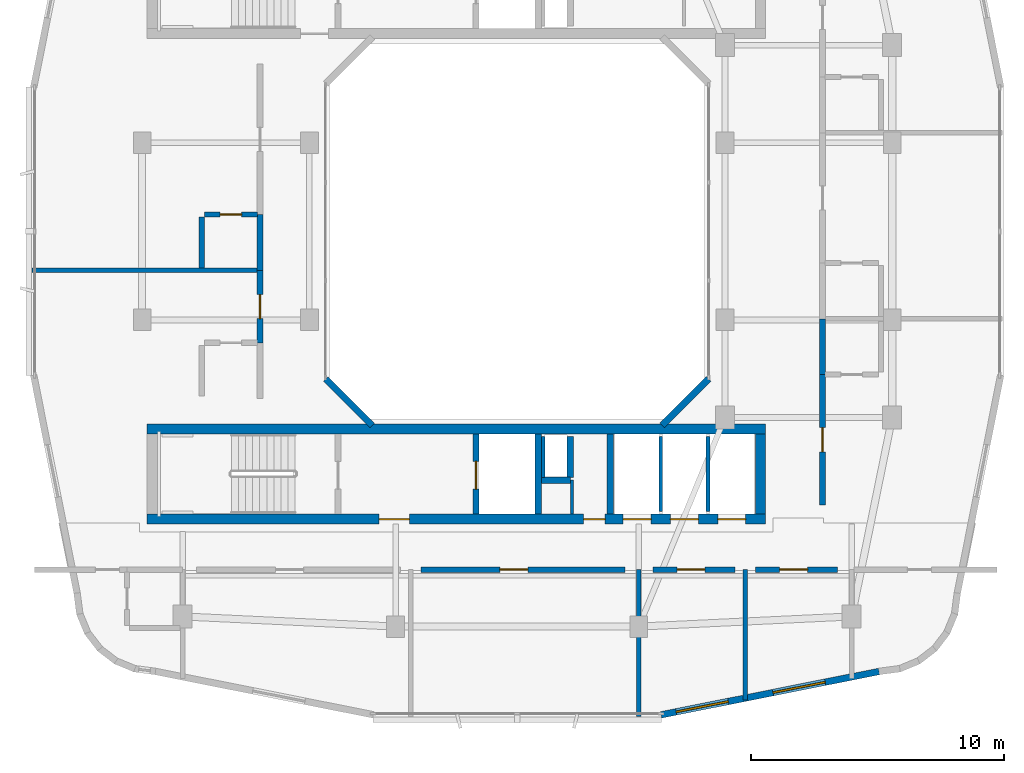
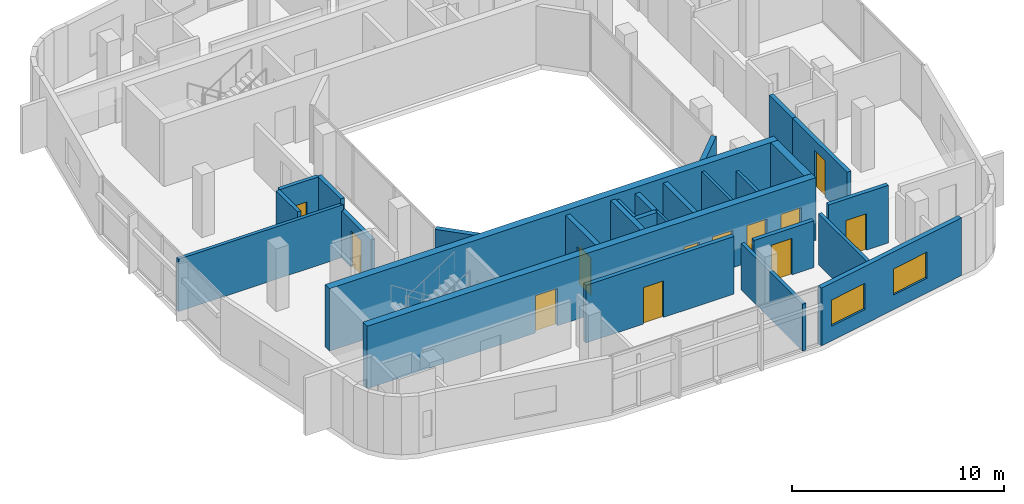
# One storey, part 7 of 14: 27 walls, 12 doors, 2 windows, 14 openings.
"""IFC4 building model written with IfcOpenShell, lengths in metres."""

from ifc_helpers import new_model, si_unit, derived_unit, direction, frame, frame_2d, origin, place, context, subcontext, project, spatial, rectangle, extrude, material, layer, layer_set, type_object, element, fill, save


model = new_model("IFC4")

# Units and contexts
model_context = context("Model", 3, precision=1e-05, world=origin(), true_north=direction((0.0, 1.0)))
body_context = subcontext(model_context, "Body", "Model", "MODEL_VIEW")
ifc_project = project(units=[si_unit("LENGTHUNIT", "METRE"), si_unit("AREAUNIT", "SQUARE_METRE"), si_unit("VOLUMEUNIT", "CUBIC_METRE"), si_unit("PLANEANGLEUNIT", "RADIAN"), si_unit("MASSUNIT", "GRAM", prefix="KILO"), derived_unit("THERMALTRANSMITTANCEUNIT", [(si_unit("POWERUNIT", "WATT"), 1), (si_unit("LENGTHUNIT", "METRE"), -2), (si_unit("THERMODYNAMICTEMPERATUREUNIT", "KELVIN"), -1)])], contexts=[model_context])

# Site, building, storey
site_placement = place(None, origin())
site = spatial("IfcSite", under=ifc_project, at=site_placement, CompositionType="ELEMENT")
building_placement = place(site_placement, origin())
building = spatial("IfcBuilding", under=site, at=building_placement, Name="Kivonza Crest Hotel", CompositionType="ELEMENT")
storey_placement = place(building_placement, frame((0.0, 0.0, 209.89990234375)))
storey = spatial("IfcBuildingStorey", under=building, at=storey_placement, Name="L57", CompositionType="ELEMENT", Elevation=209.89990234375)

# Walls
ifc_material_1 = material(Name="High-density acoustic masonry inter-tenancy wall", Category="masonry")
ifc_layer_1 = layer(ifc_material_1, 0.179931640625)
ifc_layer_set_1 = layer_set([ifc_layer_1], Name="High-density acoustic masonry inter-tenancy wall")
wall_type_1 = type_object("IfcWallType", Name="WL-ACOU-180", PredefinedType="SOLIDWALL", material=ifc_layer_set_1)
wall_1_placement = place(storey_placement, frame((25.800048828125, 5.860107421875, 0.0), z_axis=(0.0, 0.0, 1.0), x_axis=(0.0, 1.0, 0.0)))
element("IfcWall", 1, at=wall_1_placement, inside=storey, type_object=wall_type_1, Name="L57 interior partition WA-L57-T1S-DIV2", PredefinedType="SOLIDWALL", context=body_context, shape_type="SweptSolid", body=[
    extrude(rectangle(XDim=5.789794921875, YDim=0.179931640625, at=frame_2d((2.89501953125, 0.0))), origin(), (0.0, 0.0, 1.0), 2.695068359375),
])
wall_2_placement = place(storey_placement, frame((30.0, 6.506103515625, 0.0), z_axis=(0.0, 0.0, 1.0), x_axis=(0.0, 1.0, 0.0)))
element("IfcWall", 2, at=wall_2_placement, inside=storey, type_object=wall_type_1, Name="L57 interior partition WA-L57-T1S-SPDIV2", PredefinedType="SOLIDWALL", context=body_context, shape_type="SweptSolid", body=[
    extrude(rectangle(XDim=5.143798828125, YDim=0.179931640625, at=frame_2d((2.57177734375, 0.0))), origin(), (0.0, 0.0, 1.0), 2.93505859375),
])
wall_3_placement = place(storey_placement, frame((1.860107421875, 23.4599609375, 0.0), z_axis=(0.0, 0.0, 1.0), x_axis=(1.0, 0.0, 0.0)))
element("IfcWall", 3, at=wall_3_placement, inside=storey, type_object=wall_type_1, Name="L57 interior partition WA-L57-T1W-DIV1", PredefinedType="SOLIDWALL", context=body_context, shape_type="SweptSolid", body=[
    extrude(rectangle(XDim=8.989990234375, YDim=0.179931640625, at=frame_2d((4.4951171875, 0.0))), origin(), (0.0, 0.0, 1.0), 3.01513671875),
])

# Wall, opening, door
ifc_material_2 = material(Name="Autoclaved aerated concrete blockwork", Category="masonry")
ifc_layer_2 = layer(ifc_material_2, 0.219970703125)
ifc_layer_set_2 = layer_set([ifc_layer_2], Name="Autoclaved aerated concrete blockwork")
wall_type_2 = type_object("IfcWallType", Name="WL-ACOU-220", PredefinedType="SOLIDWALL", material=ifc_layer_set_2)
wall_4_placement = place(storey_placement, frame((17.199951171875, 11.64990234375, 0.0), z_axis=(0.0, 0.0, 1.0), x_axis=(1.0, 0.0, 0.0)))
wall_4 = element("IfcWall", 4, at=wall_4_placement, inside=storey, type_object=wall_type_2, Name="L57 interior partition WA-L57-Z4-SKIT1B-N", PredefinedType="SOLIDWALL", context=body_context, shape_type="SweptSolid", body=[
    extrude(rectangle(XDim=8.050048828125, YDim=0.219970703125, at=frame_2d((4.02490234375, 0.0))), origin(), (0.0, 0.0, 1.0), 3.320068359375),
])
opening_1_placement = place(wall_4_placement, frame((3.117919921875, 0.0, 0.0)))
opening_1 = element("IfcOpeningElement", 5, at=opening_1_placement, cuts=wall_4, Name="Opening DF-60M", PredefinedType="OPENING", context=body_context, shape_type="SweptSolid", body=[
    extrude(rectangle(XDim=1.10009765625, YDim=2.10009765625, at=frame_2d((0.550048828125, 1.050048828125))), frame((0.0, 0.1201171875, 0.0), z_axis=(0.0, -1.0, 0.0), x_axis=(1.0, 0.0, 0.0)), (0.0, 0.0, 1.0), 0.239990234375),
])
ifc_material_3 = material(Name="Hardwood timber oak", Category="wood")
door_type_1 = type_object("IfcDoorType", Name="DR-FD60-1100", OperationType="NOTDEFINED", PredefinedType="DOOR", material=ifc_material_3)
door_1_placement = place(opening_1_placement, frame((1.10009765625, 0.0, 0.0), z_axis=(0.0, 0.0, 1.0), x_axis=(-1.0, 0.0, 0.0)))
door_1 = element("IfcDoor", 6, at=door_1_placement, inside=storey, type_object=door_type_1, Name="L57 Upper Zone Beverage Tasting Kitchen door", OperationType="SINGLE_SWING_LEFT", OverallHeight=2.10009765625, OverallWidth=1.10009765625, PredefinedType="DOOR", context=body_context, shape_type="SweptSolid", body=[
    extrude(rectangle(XDim=1.10009765625, YDim=2.10009765625, at=frame_2d((0.550048828125, 1.050048828125))), frame((0.0, 0.02490234375, 0.0), z_axis=(0.0, -1.0, 0.0), x_axis=(1.0, 0.0, 0.0)), (0.0, 0.0, 1.0), 0.050048828125),
])
fill(opening_1, door_1)

wall_5_placement = place(storey_placement, frame((26.35009765625, 11.64990234375, 0.0), z_axis=(0.0, 0.0, 1.0), x_axis=(1.0, 0.0, 0.0)))
wall_5 = element("IfcWall", 7, at=wall_5_placement, inside=storey, type_object=wall_type_2, Name="L57 interior partition WA-L57-Z4-SKIT2A-N", PredefinedType="SOLIDWALL", context=body_context, shape_type="SweptSolid", body=[
    extrude(rectangle(XDim=3.25, YDim=0.219970703125, at=frame_2d((1.625, 0.0))), origin(), (0.0, 0.0, 1.0), 2.695068359375),
])
opening_2_placement = place(wall_5_placement, frame((0.95703125, 0.0, 0.0)))
opening_2 = element("IfcOpeningElement", 8, at=opening_2_placement, cuts=wall_5, Name="Opening DF-60M", PredefinedType="OPENING", context=body_context, shape_type="SweptSolid", body=[
    extrude(rectangle(XDim=1.10009765625, YDim=2.10009765625, at=frame_2d((0.550048828125, 1.050048828125))), frame((0.0, 0.1201171875, 0.0), z_axis=(0.0, -1.0, 0.0), x_axis=(1.0, 0.0, 0.0)), (0.0, 0.0, 1.0), 0.239990234375),
])
door_2_placement = place(opening_2_placement, frame((1.10009765625, 0.0, 0.0), z_axis=(0.0, 0.0, 1.0), x_axis=(-1.0, 0.0, 0.0)))
door_2 = element("IfcDoor", 9, at=door_2_placement, inside=storey, type_object=door_type_1, Name="L57 Upper Zone Chef Demonstration Kitchen door", OperationType="SINGLE_SWING_RIGHT", OverallHeight=2.10009765625, OverallWidth=1.10009765625, PredefinedType="DOOR", context=body_context, shape_type="SweptSolid", body=[
    extrude(rectangle(XDim=1.10009765625, YDim=2.10009765625, at=frame_2d((0.550048828125, 1.050048828125))), frame((0.0, 0.02490234375, 0.0), z_axis=(0.0, -1.0, 0.0), x_axis=(1.0, 0.0, 0.0)), (0.0, 0.0, 1.0), 0.050048828125),
])
fill(opening_2, door_2)

wall_6_placement = place(storey_placement, frame((30.39990234375, 11.64990234375, 0.0), z_axis=(0.0, 0.0, 1.0), x_axis=(1.0, 0.0, 0.0)))
wall_6 = element("IfcWall", 10, at=wall_6_placement, inside=storey, type_object=wall_type_2, Name="L57 interior partition WA-L57-Z4-SKIT2B-N", PredefinedType="SOLIDWALL", context=body_context, shape_type="SweptSolid", body=[
    extrude(rectangle(XDim=3.25, YDim=0.219970703125, at=frame_2d((1.625, 0.0))), origin(), (0.0, 0.0, 1.0), 3.320068359375),
])
opening_3_placement = place(wall_6_placement, frame((0.95703125, 0.0, 0.0)))
opening_3 = element("IfcOpeningElement", 11, at=opening_3_placement, cuts=wall_6, Name="Opening DF-60M", PredefinedType="OPENING", context=body_context, shape_type="SweptSolid", body=[
    extrude(rectangle(XDim=1.10009765625, YDim=2.10009765625, at=frame_2d((0.550048828125, 1.050048828125))), frame((0.0, 0.1201171875, 0.0), z_axis=(0.0, -1.0, 0.0), x_axis=(1.0, 0.0, 0.0)), (0.0, 0.0, 1.0), 0.239990234375),
])
door_3_placement = place(opening_3_placement, frame((1.10009765625, 0.0, 0.0), z_axis=(0.0, 0.0, 1.0), x_axis=(-1.0, 0.0, 0.0)))
door_3 = element("IfcDoor", 12, at=door_3_placement, inside=storey, type_object=door_type_1, Name="L57 Upper Zone Beverage Tasting Kitchen door", OperationType="SINGLE_SWING_LEFT", OverallHeight=2.10009765625, OverallWidth=1.10009765625, PredefinedType="DOOR", context=body_context, shape_type="SweptSolid", body=[
    extrude(rectangle(XDim=1.10009765625, YDim=2.10009765625, at=frame_2d((0.550048828125, 1.050048828125))), frame((0.0, 0.02490234375, 0.0), z_axis=(0.0, -1.0, 0.0), x_axis=(1.0, 0.0, 0.0)), (0.0, 0.0, 1.0), 0.050048828125),
])
fill(opening_3, door_3)

wall_7_placement = place(storey_placement, frame((10.85009765625, 20.60009765625, 0.0), z_axis=(0.0, 0.0, 1.0), x_axis=(0.0, 1.0, 0.0)))
wall_7 = element("IfcWall", 13, at=wall_7_placement, inside=storey, type_object=wall_type_2, Name="L57 interior partition WA-L57-W03-MCORR", PredefinedType="SOLIDWALL", context=body_context, shape_type="SweptSolid", body=[
    extrude(rectangle(XDim=2.85986328125, YDim=0.219970703125, at=frame_2d((1.429931640625, 0.0))), origin(), (0.0, 0.0, 1.0), 2.695068359375),
])
opening_4_placement = place(wall_7_placement, frame((0.955078125, 0.0, 0.0)))
opening_4 = element("IfcOpeningElement", 14, at=opening_4_placement, cuts=wall_7, Name="Opening DU-60", PredefinedType="OPENING", context=body_context, shape_type="SweptSolid", body=[
    extrude(rectangle(XDim=0.949951171875, YDim=2.10009765625, at=frame_2d((0.47509765625, 1.050048828125))), frame((0.0, 0.1201171875, 0.0), z_axis=(0.0, -1.0, 0.0), x_axis=(1.0, 0.0, 0.0)), (0.0, 0.0, 1.0), 0.239990234375),
])
door_type_2 = type_object("IfcDoorType", Name="DR-UNIT-950", OperationType="NOTDEFINED", PredefinedType="DOOR", material=ifc_material_3)
door_4_placement = place(opening_4_placement, origin())
door_4 = element("IfcDoor", 15, at=door_4_placement, inside=storey, type_object=door_type_2, Name="L57 W03 guest unit entrance fire door", OperationType="SINGLE_SWING_LEFT", OverallHeight=2.10009765625, OverallWidth=0.949951171875, PredefinedType="DOOR", context=body_context, shape_type="SweptSolid", body=[
    extrude(rectangle(XDim=0.949951171875, YDim=2.10009765625, at=frame_2d((0.47509765625, 1.050048828125))), frame((0.0, 0.02490234375, 0.0), z_axis=(0.0, -1.0, 0.0), x_axis=(1.0, 0.0, 0.0)), (0.0, 0.0, 1.0), 0.050048828125),
])
fill(opening_4, door_4)

# Walls
wall_8_placement = place(storey_placement, frame((10.85009765625, 23.4599609375, 0.0), z_axis=(0.0, 0.0, 1.0), x_axis=(0.0, 1.0, 0.0)))
element("IfcWall", 16, at=wall_8_placement, inside=storey, type_object=wall_type_2, Name="L57 interior partition WA-L57-W04-BCORR", PredefinedType="SOLIDWALL", context=body_context, shape_type="SweptSolid", body=[
    extrude(rectangle(XDim=2.199951171875, YDim=0.219970703125, at=frame_2d((1.10009765625, 0.0))), origin(), (0.0, 0.0, 1.0), 3.320068359375),
])
wall_9_placement = place(storey_placement, frame((33.050048828125, 19.343994140625, 0.0), z_axis=(0.0, 0.0, 1.0), x_axis=(0.0, 1.0, 0.0)))
element("IfcWall", 17, at=wall_9_placement, inside=storey, type_object=wall_type_2, Name="L57 interior partition WA-L57-E05-BCORR", PredefinedType="SOLIDWALL", context=body_context, shape_type="SweptSolid", body=[
    extrude(rectangle(XDim=2.199951171875, YDim=0.219970703125, at=frame_2d((1.10009765625, 0.0))), origin(), (0.0, 0.0, 1.0), 2.695068359375),
])

# Wall, opening, door
wall_10_placement = place(storey_placement, frame((33.050048828125, 14.199951171875, 0.0), z_axis=(0.0, 0.0, 1.0), x_axis=(0.0, 1.0, 0.0)))
wall_10 = element("IfcWall", 18, at=wall_10_placement, inside=storey, type_object=wall_type_2, Name="L57 interior partition WA-L57-E05-MCORR", PredefinedType="SOLIDWALL", context=body_context, shape_type="SweptSolid", body=[
    extrude(rectangle(XDim=5.14404296875, YDim=0.219970703125, at=frame_2d((2.572021484375, 0.0))), origin(), (0.0, 0.0, 1.0), 2.695068359375),
])
opening_5_placement = place(wall_10_placement, frame((2.096923828125, 0.0, 0.0)))
opening_5 = element("IfcOpeningElement", 19, at=opening_5_placement, cuts=wall_10, Name="Opening DU-60", PredefinedType="OPENING", context=body_context, shape_type="SweptSolid", body=[
    extrude(rectangle(XDim=0.949951171875, YDim=2.10009765625, at=frame_2d((0.47509765625, 1.050048828125))), frame((0.0, 0.1201171875, 0.0), z_axis=(0.0, -1.0, 0.0), x_axis=(1.0, 0.0, 0.0)), (0.0, 0.0, 1.0), 0.239990234375),
])
door_5_placement = place(opening_5_placement, frame((0.949951171875, 0.0, 0.0), z_axis=(0.0, 0.0, 1.0), x_axis=(-1.0, 0.0, 0.0)))
door_5 = element("IfcDoor", 20, at=door_5_placement, inside=storey, type_object=door_type_2, Name="L57 E05 guest unit entrance fire door", OperationType="SINGLE_SWING_LEFT", OverallHeight=2.10009765625, OverallWidth=0.949951171875, PredefinedType="DOOR", context=body_context, shape_type="SweptSolid", body=[
    extrude(rectangle(XDim=0.949951171875, YDim=2.10009765625, at=frame_2d((0.47509765625, 1.050048828125))), frame((0.0, 0.02490234375, 0.0), z_axis=(0.0, -1.0, 0.0), x_axis=(1.0, 0.0, 0.0)), (0.0, 0.0, 1.0), 0.050048828125),
])
fill(opening_5, door_5)

# Wall, openings, doors
ifc_material_4 = material(Name="Concrete C50/60", Category="concrete")
ifc_layer_3 = layer(ifc_material_4, 0.39990234375)
ifc_layer_set_3 = layer_set([ifc_layer_3], Name="Concrete C50/60")
wall_type_3 = type_object("IfcWallType", Name="WL-CORE-400", PredefinedType="SHEAR", material=ifc_layer_set_3)
wall_11_placement = place(storey_placement, frame((6.39990234375, 13.639892578125, 0.0), z_axis=(0.0, 0.0, 1.0), x_axis=(1.0, 0.0, 0.0)))
wall_11 = element("IfcWall", 21, at=wall_11_placement, inside=storey, type_object=wall_type_3, Name="Core wall T1-S South L57", PredefinedType="SHEAR", context=body_context, shape_type="SweptSolid", body=[
    extrude(rectangle(XDim=24.400146484375, YDim=0.39990234375, at=frame_2d((12.2001953125, 0.0))), origin(), (0.0, 0.0, 1.0), 3.60009765625),
])
opening_6_placement = place(wall_11_placement, frame((9.14990234375, 0.0, 0.0)))
opening_6 = element("IfcOpeningElement", 22, at=opening_6_placement, cuts=wall_11, Name="Opening DF-60", PredefinedType="OPENING", context=body_context, shape_type="SweptSolid", body=[
    extrude(rectangle(XDim=1.199951171875, YDim=2.14990234375, at=frame_2d((0.60009765625, 1.074951171875))), frame((0.0, 0.2099609375, 0.0), z_axis=(0.0, -1.0, 0.0), x_axis=(1.0, 0.0, 0.0)), (0.0, 0.0, 1.0), 0.419921875),
])
opening_7_placement = place(wall_11_placement, frame((17.219970703125, 0.0, 0.0)))
opening_7 = element("IfcOpeningElement", 23, at=opening_7_placement, cuts=wall_11, Name="Opening DF-60R", PredefinedType="OPENING", context=body_context, shape_type="SweptSolid", body=[
    extrude(rectangle(XDim=0.85009765625, YDim=2.10009765625, at=frame_2d((0.425048828125, 1.050048828125))), frame((0.0, 0.2099609375, 0.0), z_axis=(0.0, -1.0, 0.0), x_axis=(1.0, 0.0, 0.0)), (0.0, 0.0, 1.0), 0.419921875),
])
opening_8_placement = place(wall_11_placement, frame((18.782958984375, 0.0, 0.0)))
opening_8 = element("IfcOpeningElement", 24, at=opening_8_placement, cuts=wall_11, Name="Opening LD-120", PredefinedType="OPENING", context=body_context, shape_type="SweptSolid", body=[
    extrude(rectangle(XDim=1.10009765625, YDim=2.14990234375, at=frame_2d((0.550048828125, 1.074951171875))), frame((0.0, 0.2099609375, 0.0), z_axis=(0.0, -1.0, 0.0), x_axis=(1.0, 0.0, 0.0)), (0.0, 0.0, 1.0), 0.419921875),
])
opening_9_placement = place(wall_11_placement, frame((20.64990234375, 0.0, 0.0)))
opening_9 = element("IfcOpeningElement", 25, at=opening_9_placement, cuts=wall_11, Name="Opening LD-120", PredefinedType="OPENING", context=body_context, shape_type="SweptSolid", body=[
    extrude(rectangle(XDim=1.10009765625, YDim=2.14990234375, at=frame_2d((0.550048828125, 1.074951171875))), frame((0.0, 0.2099609375, 0.0), z_axis=(0.0, -1.0, 0.0), x_axis=(1.0, 0.0, 0.0)), (0.0, 0.0, 1.0), 0.419921875),
])
opening_10_placement = place(wall_11_placement, frame((22.51708984375, 0.0, 0.0)))
opening_10 = element("IfcOpeningElement", 26, at=opening_10_placement, cuts=wall_11, Name="Opening LD-120", PredefinedType="OPENING", context=body_context, shape_type="SweptSolid", body=[
    extrude(rectangle(XDim=1.10009765625, YDim=2.14990234375, at=frame_2d((0.550048828125, 1.074951171875))), frame((0.0, 0.2099609375, 0.0), z_axis=(0.0, -1.0, 0.0), x_axis=(1.0, 0.0, 0.0)), (0.0, 0.0, 1.0), 0.419921875),
])
door_type_3 = type_object("IfcDoorType", Name="DR-FD60-1200", OperationType="NOTDEFINED", PredefinedType="DOOR", material=ifc_material_3)
door_6_placement = place(opening_6_placement, frame((1.199951171875, 0.0, 0.0), z_axis=(0.0, 0.0, 1.0), x_axis=(-1.0, 0.0, 0.0)))
door_6 = element("IfcDoor", 27, at=door_6_placement, inside=storey, type_object=door_type_3, Name="L57 T1-S firefighting lobby fire door", OperationType="SINGLE_SWING_LEFT", OverallHeight=2.14990234375, OverallWidth=1.199951171875, PredefinedType="DOOR", context=body_context, shape_type="SweptSolid", body=[
    extrude(rectangle(XDim=1.199951171875, YDim=2.14990234375, at=frame_2d((0.60009765625, 1.074951171875))), frame((0.0, 0.02490234375, 0.0), z_axis=(0.0, -1.0, 0.0), x_axis=(1.0, 0.0, 0.0)), (0.0, 0.0, 1.0), 0.050048828125),
])
fill(opening_6, door_6)
door_type_4 = type_object("IfcDoorType", Name="DR-FD60-850", OperationType="NOTDEFINED", PredefinedType="DOOR", material=ifc_material_3)
door_7_placement = place(opening_7_placement, frame((0.85009765625, 0.0, 0.0), z_axis=(0.0, 0.0, 1.0), x_axis=(-1.0, 0.0, 0.0)))
door_7 = element("IfcDoor", 28, at=door_7_placement, inside=storey, type_object=door_type_4, Name="L57 T1-S core room door", OperationType="SINGLE_SWING_RIGHT", OverallHeight=2.10009765625, OverallWidth=0.85009765625, PredefinedType="DOOR", context=body_context, shape_type="SweptSolid", body=[
    extrude(rectangle(XDim=0.85009765625, YDim=2.10009765625, at=frame_2d((0.425048828125, 1.050048828125))), frame((0.0, 0.02490234375, 0.0), z_axis=(0.0, -1.0, 0.0), x_axis=(1.0, 0.0, 0.0)), (0.0, 0.0, 1.0), 0.050048828125),
])
fill(opening_7, door_7)
ifc_material_5 = material(Name="Stainless steel", Category="steel")
door_type_5 = type_object("IfcDoorType", Name="DR-LD120-1100", OperationType="NOTDEFINED", PredefinedType="DOOR", material=ifc_material_5)
door_8_placement = place(opening_8_placement, frame((1.10009765625, 0.0, 0.0), z_axis=(0.0, 0.0, 1.0), x_axis=(-1.0, 0.0, 0.0)))
door_8 = element("IfcDoor", 29, at=door_8_placement, inside=storey, type_object=door_type_5, Name="L57 PL-T1-H1 passenger lift sliding landing door", OperationType="DOUBLE_DOOR_SLIDING", OverallHeight=2.14990234375, OverallWidth=1.10009765625, PredefinedType="DOOR", context=body_context, shape_type="SweptSolid", body=[
    extrude(rectangle(XDim=1.10009765625, YDim=2.14990234375, at=frame_2d((0.550048828125, 1.074951171875))), frame((0.0, 0.02490234375, 0.0), z_axis=(0.0, -1.0, 0.0), x_axis=(1.0, 0.0, 0.0)), (0.0, 0.0, 1.0), 0.050048828125),
])
fill(opening_8, door_8)
door_9_placement = place(opening_9_placement, frame((1.10009765625, 0.0, 0.0), z_axis=(0.0, 0.0, 1.0), x_axis=(-1.0, 0.0, 0.0)))
door_9 = element("IfcDoor", 30, at=door_9_placement, inside=storey, type_object=door_type_5, Name="L57 PL-T1-H2 passenger lift sliding landing door", OperationType="DOUBLE_DOOR_SLIDING", OverallHeight=2.14990234375, OverallWidth=1.10009765625, PredefinedType="DOOR", context=body_context, shape_type="SweptSolid", body=[
    extrude(rectangle(XDim=1.10009765625, YDim=2.14990234375, at=frame_2d((0.550048828125, 1.074951171875))), frame((0.0, 0.02490234375, 0.0), z_axis=(0.0, -1.0, 0.0), x_axis=(1.0, 0.0, 0.0)), (0.0, 0.0, 1.0), 0.050048828125),
])
fill(opening_9, door_9)
door_10_placement = place(opening_10_placement, frame((1.10009765625, 0.0, 0.0), z_axis=(0.0, 0.0, 1.0), x_axis=(-1.0, 0.0, 0.0)))
door_10 = element("IfcDoor", 31, at=door_10_placement, inside=storey, type_object=door_type_5, Name="L57 PL-T1-H3 passenger lift sliding landing door", OperationType="DOUBLE_DOOR_SLIDING", OverallHeight=2.14990234375, OverallWidth=1.10009765625, PredefinedType="DOOR", context=body_context, shape_type="SweptSolid", body=[
    extrude(rectangle(XDim=1.10009765625, YDim=2.14990234375, at=frame_2d((0.550048828125, 1.074951171875))), frame((0.0, 0.02490234375, 0.0), z_axis=(0.0, -1.0, 0.0), x_axis=(1.0, 0.0, 0.0)), (0.0, 0.0, 1.0), 0.050048828125),
])
fill(opening_10, door_10)

# Walls
wall_12_placement = place(storey_placement, frame((6.39990234375, 17.199951171875, 0.0), z_axis=(0.0, 0.0, 1.0), x_axis=(1.0, 0.0, 0.0)))
element("IfcWall", 32, at=wall_12_placement, inside=storey, type_object=wall_type_3, Name="Core wall T1-S North L57", PredefinedType="SHEAR", context=body_context, shape_type="SweptSolid", body=[
    extrude(rectangle(XDim=24.400146484375, YDim=0.39990234375, at=frame_2d((12.2001953125, 0.0))), origin(), (0.0, 0.0, 1.0), 3.60009765625),
])
wall_13_placement = place(storey_placement, frame((30.60009765625, 13.840087890625, 0.0), z_axis=(0.0, 0.0, 1.0), x_axis=(0.0, 1.0, 0.0)))
element("IfcWall", 33, at=wall_13_placement, inside=storey, type_object=wall_type_3, Name="Core wall T1-S East L57", PredefinedType="SHEAR", context=body_context, shape_type="SweptSolid", body=[
    extrude(rectangle(XDim=3.159912109375, YDim=0.39990234375, at=frame_2d((1.580078125, 0.0))), origin(), (0.0, 0.0, 1.0), 3.60009765625),
])

# Wall, openings, windows
ifc_material_6 = material(Name="Precast concrete C40/50", Category="concrete")
ifc_layer_4 = layer(ifc_material_6, 0.260009765625)
ifc_layer_set_4 = layer_set([ifc_layer_4], Name="Precast concrete C40/50")
wall_type_4 = type_object("IfcWallType", Name="WL-EXT-260", PredefinedType="STANDARD", material=ifc_layer_set_4)
wall_14_placement = place(storey_placement, frame((26.680908203125, 5.916015625, 0.0), z_axis=(0.0, 0.0, 1.0), x_axis=(0.980745199176, 0.195291715883, 0.0)))
wall_14 = element("IfcWall", 34, at=wall_14_placement, inside=storey, type_object=wall_type_4, Name="L57 T1 exterior insulated wall 9", PredefinedType="STANDARD", context=body_context, shape_type="SweptSolid", body=[
    extrude(rectangle(XDim=8.77099609375, YDim=0.260009765625, at=frame_2d((4.385498046875, 0.0))), origin(), (0.0, 0.0, 1.0), 3.320068359375),
])
opening_11_placement = place(wall_14_placement, frame((0.60498046875, 0.0, 0.85009765625)))
opening_11 = element("IfcOpeningElement", 35, at=opening_11_placement, cuts=wall_14, Name="Opening WN-04", PredefinedType="OPENING", context=body_context, shape_type="SweptSolid", body=[
    extrude(rectangle(XDim=2.10009765625, YDim=1.5, at=frame_2d((1.050048828125, 0.75))), frame((0.0, 0.14013671875, 0.0), z_axis=(0.0, -1.0, 0.0), x_axis=(1.0, 0.0, 0.0)), (0.0, 0.0, 1.0), 0.280029296875),
])
opening_12_placement = place(wall_14_placement, frame((4.5, 0.0, 0.85009765625)))
opening_12 = element("IfcOpeningElement", 36, at=opening_12_placement, cuts=wall_14, Name="Opening WN-04", PredefinedType="OPENING", context=body_context, shape_type="SweptSolid", body=[
    extrude(rectangle(XDim=2.10009765625, YDim=1.5, at=frame_2d((1.050048828125, 0.75))), frame((0.0, 0.14013671875, 0.0), z_axis=(0.0, -1.0, 0.0), x_axis=(1.0, 0.0, 0.0)), (0.0, 0.0, 1.0), 0.280029296875),
])
ifc_material_7 = material(Name="Thermally broken bronze aluminium and low-E double glazing", Category="aluminium")
window_type = type_object("IfcWindowType", Name="WN-210x150", PartitioningType="DOUBLE_PANEL_VERTICAL", PredefinedType="WINDOW", material=ifc_material_7)
window_1_placement = place(opening_11_placement, origin())
window_1 = element("IfcWindow", 37, at=window_1_placement, inside=storey, type_object=window_type, Name="L57 T1 facade window 9 bay 1", OverallHeight=1.5, OverallWidth=2.10009765625, PartitioningType="SINGLE_PANEL", PredefinedType="WINDOW", context=body_context, shape_type="SweptSolid", body=[
    extrude(rectangle(XDim=2.10009765625, YDim=1.5, at=frame_2d((1.050048828125, 0.75))), frame((0.0, 0.030029296875, 0.0), z_axis=(0.0, -1.0, 0.0), x_axis=(1.0, 0.0, 0.0)), (0.0, 0.0, 1.0), 0.06005859375),
])
fill(opening_11, window_1)
window_2_placement = place(opening_12_placement, origin())
window_2 = element("IfcWindow", 38, at=window_2_placement, inside=storey, type_object=window_type, Name="L57 T1 facade window 9 bay 2", OverallHeight=1.5, OverallWidth=2.10009765625, PartitioningType="SINGLE_PANEL", PredefinedType="WINDOW", context=body_context, shape_type="SweptSolid", body=[
    extrude(rectangle(XDim=2.10009765625, YDim=1.5, at=frame_2d((1.050048828125, 0.75))), frame((0.0, 0.030029296875, 0.0), z_axis=(0.0, -1.0, 0.0), x_axis=(1.0, 0.0, 0.0)), (0.0, 0.0, 1.0), 0.06005859375),
])
fill(opening_12, window_2)

# Walls
for number, where, z_axis, x_axis, name in (
    (39, (26.721923828125, 17.337890625, 0.0), (0.0, 0.0, 1.0), (0.707059717605, 0.707153841636, 0.0), "L57 T1 light-well exterior wall 2"),
    (40, (13.444091796875, 19.172119140625, 0.0), (0.0, 0.0, 1.0), (0.707059717605, -0.707153841636, 0.0), "L57 T1 light-well exterior wall 8"),
):
    element("IfcWall", number, at=place(storey_placement, frame(where, z_axis=z_axis, x_axis=x_axis)), inside=storey, type_object=wall_type_4, Name=name, PredefinedType="STANDARD", context=body_context, shape_type="SweptSolid", body=[
        extrude(rectangle(XDim=2.59375, YDim=0.260009765625, at=frame_2d((1.296875, 0.0))), origin(), (0.0, 0.0, 1.0), 3.320068359375),
    ])
ifc_material_8 = material(Name="Concrete blockwork fire-compartment wall", Category="masonry")
ifc_layer_5 = layer(ifc_material_8, 0.25)
ifc_layer_set_5 = layer_set([ifc_layer_5], Name="Concrete blockwork fire-compartment wall")
wall_type_5 = type_object("IfcWallType", Name="WL-FIRE-250", PredefinedType="SOLIDWALL", material=ifc_layer_set_5)
wall_15_placement = place(storey_placement, frame((23.10009765625, 15.280029296875, 0.0), z_axis=(0.0, 0.0, 1.0), x_axis=(0.0, 1.0, 0.0)))
element("IfcWall", 41, at=wall_15_placement, inside=storey, type_object=wall_type_5, Name="L57 interior partition WA-L57-T1-S-MEPR-E", PredefinedType="SOLIDWALL", context=body_context, shape_type="SweptSolid", body=[
    extrude(rectangle(XDim=1.619873046875, YDim=0.25, at=frame_2d((0.81005859375, 0.0))), origin(), (0.0, 0.0, 1.0), 3.320068359375),
])
wall_16_placement = place(storey_placement, frame((21.949951171875, 15.179931640625, 0.0), z_axis=(0.0, 0.0, 1.0), x_axis=(1.0, 0.0, 0.0)))
element("IfcWall", 42, at=wall_16_placement, inside=storey, type_object=wall_type_5, Name="L57 interior partition WA-L57-T1-S-MEPR-H", PredefinedType="SOLIDWALL", context=body_context, shape_type="SweptSolid", body=[
    extrude(rectangle(XDim=1.150146484375, YDim=0.25, at=frame_2d((0.5751953125, 0.0))), origin(), (0.0, 0.0, 1.0), 3.320068359375),
])
ifc_material_9 = material(Name="Metal-stud gypsum board partition", Category="gypsum")
ifc_layer_6 = layer(ifc_material_9, 0.125)
ifc_layer_set_6 = layer_set([ifc_layer_6], Name="Metal-stud gypsum board partition")
wall_type_6 = type_object("IfcWallType", Name="WL-PART-125", PredefinedType="PARTITIONING", material=ifc_layer_set_6)
wall_17_placement = place(storey_placement, frame((23.159912109375, 13.840087890625, 0.0), z_axis=(0.0, 0.0, 1.0), x_axis=(0.0, 1.0, 0.0)))
element("IfcWall", 43, at=wall_17_placement, inside=storey, type_object=wall_type_6, Name="L57 interior partition WP-L57-T1-S-SV1V", PredefinedType="PARTITIONING", context=body_context, shape_type="SweptSolid", body=[
    extrude(rectangle(XDim=1.33984375, YDim=0.125, at=frame_2d((0.669921875, 0.0))), origin(), (0.0, 0.0, 1.0), 3.320068359375),
])
ifc_material_10 = material(Name="Twin-stud acoustic gypsum board partition", Category="gypsum")
ifc_layer_7 = layer(ifc_material_10, 0.14990234375)
ifc_layer_set_7 = layer_set([ifc_layer_7], Name="Twin-stud acoustic gypsum board partition")
wall_type_7 = type_object("IfcWallType", Name="WL-PART-150", PredefinedType="PARTITIONING", material=ifc_layer_set_7)
wall_18_placement = place(storey_placement, frame((22.030029296875, 15.280029296875, 0.0), z_axis=(0.0, 0.0, 1.0), x_axis=(0.0, 1.0, 0.0)))
element("IfcWall", 44, at=wall_18_placement, inside=storey, type_object=wall_type_7, Name="L57 interior partition WA-L57-T1-S-MEPR-W", PredefinedType="PARTITIONING", context=body_context, shape_type="SweptSolid", body=[
    extrude(rectangle(XDim=1.619873046875, YDim=0.14990234375, at=frame_2d((0.81005859375, 0.0))), origin(), (0.0, 0.0, 1.0), 3.320068359375),
])
wall_19_placement = place(storey_placement, frame((26.6669921875, 13.93994140625, 0.0), z_axis=(0.0, 0.0, 1.0), x_axis=(0.0, 1.0, 0.0)))
element("IfcWall", 45, at=wall_19_placement, inside=storey, type_object=wall_type_7, Name="L57 interior partition WP-L57-T1-S-BSH-1", PredefinedType="PARTITIONING", context=body_context, shape_type="SweptSolid", body=[
    extrude(rectangle(XDim=2.9599609375, YDim=0.14990234375, at=frame_2d((1.47998046875, 0.0))), origin(), (0.0, 0.0, 1.0), 3.320068359375),
])
wall_20_placement = place(storey_placement, frame((28.532958984375, 13.93994140625, 0.0), z_axis=(0.0, 0.0, 1.0), x_axis=(0.0, 1.0, 0.0)))
element("IfcWall", 46, at=wall_20_placement, inside=storey, type_object=wall_type_7, Name="L57 interior partition WP-L57-T1-S-BSH-2", PredefinedType="PARTITIONING", context=body_context, shape_type="SweptSolid", body=[
    extrude(rectangle(XDim=2.9599609375, YDim=0.14990234375, at=frame_2d((1.47998046875, 0.0))), origin(), (0.0, 0.0, 1.0), 2.695068359375),
])

# Wall, opening, door
ifc_material_11 = material(Name="Moisture-resistant plumbing chase partition wall", Category="gypsum")
ifc_layer_8 = layer(ifc_material_11, 0.199951171875)
ifc_layer_set_8 = layer_set([ifc_layer_8], Name="Moisture-resistant plumbing chase partition wall")
wall_type_8 = type_object("IfcWallType", Name="WL-PLUMB-200", PredefinedType="PLUMBINGWALL", material=ifc_layer_set_8)
wall_21_placement = place(storey_placement, frame((8.64990234375, 25.659912109375, 0.0), z_axis=(0.0, 0.0, 1.0), x_axis=(1.0, 0.0, 0.0)))
wall_21 = element("IfcWall", 47, at=wall_21_placement, inside=storey, type_object=wall_type_8, Name="L57 interior partition WW-L57-W04-BH", PredefinedType="PLUMBINGWALL", context=body_context, shape_type="SweptSolid", body=[
    extrude(rectangle(XDim=2.10009765625, YDim=0.199951171875, at=frame_2d((1.050048828125, 0.0))), origin(), (0.0, 0.0, 1.0), 3.320068359375),
])
opening_13_placement = place(wall_21_placement, frame((0.625, 0.0, 0.0)))
opening_13 = element("IfcOpeningElement", 48, at=opening_13_placement, cuts=wall_21, Name="Opening DI-85", PredefinedType="OPENING", context=body_context, shape_type="SweptSolid", body=[
    extrude(rectangle(XDim=0.85009765625, YDim=2.10009765625, at=frame_2d((0.425048828125, 1.050048828125))), frame((0.0, 0.10986328125, 0.0), z_axis=(0.0, -1.0, 0.0), x_axis=(1.0, 0.0, 0.0)), (0.0, 0.0, 1.0), 0.219970703125),
])
door_type_6 = type_object("IfcDoorType", Name="DR-INT-850", OperationType="NOTDEFINED", PredefinedType="DOOR", material=ifc_material_3)
door_11_placement = place(opening_13_placement, origin())
door_11 = element("IfcDoor", 49, at=door_11_placement, inside=storey, type_object=door_type_6, Name="L57 W04 en-suite bathroom door", OperationType="SINGLE_SWING_LEFT", OverallHeight=2.10009765625, OverallWidth=0.85009765625, PredefinedType="DOOR", context=body_context, shape_type="SweptSolid", body=[
    extrude(rectangle(XDim=0.85009765625, YDim=2.10009765625, at=frame_2d((0.425048828125, 1.050048828125))), frame((0.0, 0.02490234375, 0.0), z_axis=(0.0, -1.0, 0.0), x_axis=(1.0, 0.0, 0.0)), (0.0, 0.0, 1.0), 0.050048828125),
])
fill(opening_13, door_11)

# Wall
wall_22_placement = place(storey_placement, frame((8.550048828125, 23.56005859375, 0.0), z_axis=(0.0, 0.0, 1.0), x_axis=(0.0, 1.0, 0.0)))
element("IfcWall", 50, at=wall_22_placement, inside=storey, type_object=wall_type_8, Name="L57 interior partition WW-L57-W04-BV", PredefinedType="PLUMBINGWALL", context=body_context, shape_type="SweptSolid", body=[
    extrude(rectangle(XDim=2.0, YDim=0.199951171875, at=frame_2d((1.0, 0.0))), origin(), (0.0, 0.0, 1.0), 3.320068359375),
])

# Wall, opening, door
ifc_layer_9 = layer(ifc_material_4, 0.25)
ifc_layer_set_9 = layer_set([ifc_layer_9], Name="Concrete C50/60")
wall_type_9 = type_object("IfcWallType", Name="WL-SHAFT-250", PredefinedType="STANDARD", material=ifc_layer_set_9)
wall_23_placement = place(storey_placement, frame((19.375, 13.840087890625, 0.0), z_axis=(0.0, 0.0, 1.0), x_axis=(0.0, 1.0, 0.0)))
wall_23 = element("IfcWall", 51, at=wall_23_placement, inside=storey, type_object=wall_type_9, Name="Core shaft wall T1-S FFL-W L57", PredefinedType="STANDARD", context=body_context, shape_type="SweptSolid", body=[
    extrude(rectangle(XDim=3.159912109375, YDim=0.25, at=frame_2d((1.580078125, 0.0))), origin(), (0.0, 0.0, 1.0), 3.320068359375),
])
opening_14_placement = place(wall_23_placement, frame((0.97998046875, 0.0, 0.0)))
opening_14 = element("IfcOpeningElement", 52, at=opening_14_placement, cuts=wall_23, Name="Opening LD-120", PredefinedType="OPENING", context=body_context, shape_type="SweptSolid", body=[
    extrude(rectangle(XDim=1.10009765625, YDim=2.14990234375, at=frame_2d((0.550048828125, 1.074951171875))), frame((0.0, 0.135009765625, 0.0), z_axis=(0.0, -1.0, 0.0), x_axis=(1.0, 0.0, 0.0)), (0.0, 0.0, 1.0), 0.27001953125),
])
door_12_placement = place(opening_14_placement, origin())
door_12 = element("IfcDoor", 53, at=door_12_placement, inside=storey, type_object=door_type_5, Name="L57 FFL-T1-S firefighting lift sliding landing door", OperationType="DOUBLE_DOOR_SLIDING", OverallHeight=2.14990234375, OverallWidth=1.10009765625, PredefinedType="DOOR", context=body_context, shape_type="SweptSolid", body=[
    extrude(rectangle(XDim=1.10009765625, YDim=2.14990234375, at=frame_2d((0.550048828125, 1.074951171875))), frame((0.0, 0.02490234375, 0.0), z_axis=(0.0, -1.0, 0.0), x_axis=(1.0, 0.0, 0.0)), (0.0, 0.0, 1.0), 0.050048828125),
])
fill(opening_14, door_12)

# Walls
for number, where, z_axis, x_axis, name in (
    (54, (21.824951171875, 13.840087890625, 0.0), (0.0, 0.0, 1.0), (0.0, 1.0, 0.0), "Core shaft wall T1-S FFL-E L57"),
    (55, (24.675048828125, 13.840087890625, 0.0), (0.0, 0.0, 1.0), (0.0, 1.0, 0.0), "Core shaft wall T1-S BANK-W L57"),
):
    element("IfcWall", number, at=place(storey_placement, frame(where, z_axis=z_axis, x_axis=x_axis)), inside=storey, type_object=wall_type_9, Name=name, PredefinedType="STANDARD", context=body_context, shape_type="SweptSolid", body=[
        extrude(rectangle(XDim=3.159912109375, YDim=0.25, at=frame_2d((1.580078125, 0.0))), origin(), (0.0, 0.0, 1.0), 3.320068359375),
    ])

save(model, "model.ifc")
